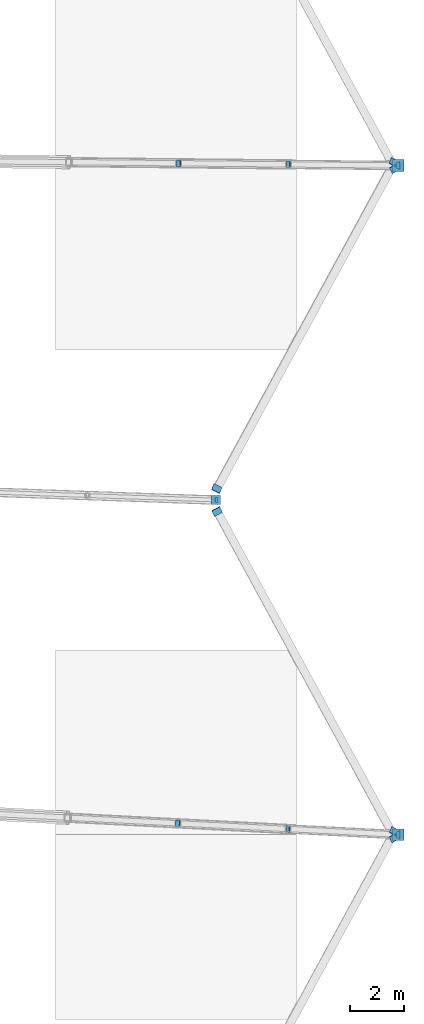
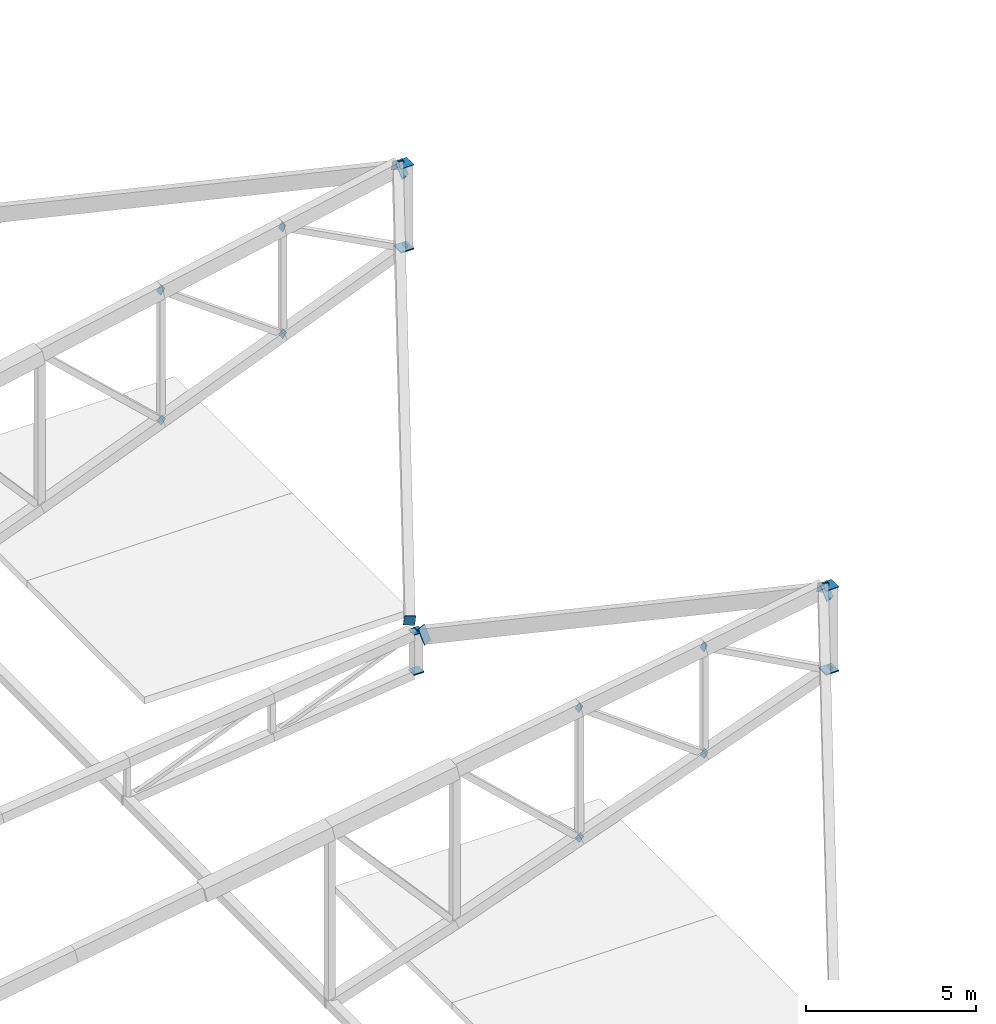
# One storey, part 155 of 188: 26 discrete accessories.
"""IFC4 building model written with IfcOpenShell, lengths in metres."""

import ifcopenshell
import ifcopenshell.guid

model = None  # the IFC model being written
_history = None  # IfcOwnerHistory: only IFC2X3 demands one
_inside = {}  # id of a spatial element -> (the spatial element, [elements in it])
_under = {}  # id of a project, library or spatial element -> (it, [spatial elements below it])
_declared = {}  # id of a project -> (the project, [libraries it declares])
_typed = {}  # id of a type object -> (the type object, [elements of that type])
_made_of = {}  # id of a material, layer set ... -> (it, [elements and type objects made of it])


def new_model(schema):
    """Start an empty IFC model of exactly this schema.

    Asked for "IFC4X3", IfcOpenShell would pick the latest addendum, in which some entities
    have other attributes; the version numbers below select the first issue.
    IFC2X3 requires an IfcOwnerHistory on every rooted entity: one is made here for all.
    """
    global model, _history
    if schema == "IFC4X3":
        model = ifcopenshell.file(schema_version=(4, 3, 0, 0))
    else:
        model = ifcopenshell.file(schema=schema)
    _inside.clear()
    _under.clear()
    _declared.clear()
    _typed.clear()
    _made_of.clear()
    _history = None
    if model.schema == "IFC2X3":
        org = make("IfcOrganization", Name="unknown")
        user = make(
            "IfcPersonAndOrganization",
            ThePerson=make("IfcPerson", FamilyName="unknown"),
            TheOrganization=org,
        )
        app = make(
            "IfcApplication",
            ApplicationDeveloper=org,
            Version="unknown",
            ApplicationFullName="unknown",
            ApplicationIdentifier="unknown",
        )
        _history = make(
            "IfcOwnerHistory",
            OwningUser=user,
            OwningApplication=app,
            ChangeAction="ADDED",
            CreationDate=0,
        )
    return model


def make(cls, **values):
    """One entity of the class cls with the attributes given. An attribute that is None is left unset."""
    return model.create_entity(
        cls, **{name: value for name, value in values.items() if value is not None}
    )


def rooted(cls, **values):
    """An entity with a GlobalId (a new one), such as an element, a storey or a relation."""
    return make(cls, GlobalId=ifcopenshell.guid.new(), OwnerHistory=_history, **values)


def si_unit(unit_type, name, prefix=None):
    """IfcSIUnit, for example si_unit("LENGTHUNIT", "METRE", prefix="MILLI")."""
    return make("IfcSIUnit", UnitType=unit_type, Prefix=prefix, Name=name)


def assignment(units):
    """IfcUnitAssignment: the units of a project."""
    return None if units is None else make("IfcUnitAssignment", Units=units)


def point(xyz):
    """IfcCartesianPoint."""
    return None if xyz is None else make("IfcCartesianPoint", Coordinates=xyz)


def direction(xyz):
    """IfcDirection."""
    return None if xyz is None else make("IfcDirection", DirectionRatios=xyz)


def frame(location, z_axis=None, x_axis=None):
    """IfcAxis2Placement3D, a coordinate frame: its origin and axes. An axis left out is left unset."""
    return make(
        "IfcAxis2Placement3D",
        Location=point(location),
        Axis=direction(z_axis),
        RefDirection=direction(x_axis),
    )


def frame_2d(location, x_axis=None):
    """IfcAxis2Placement2D, a coordinate frame in the plane: its origin and x axis."""
    return make(
        "IfcAxis2Placement2D", Location=point(location), RefDirection=direction(x_axis)
    )


def origin():
    """The frame at (0, 0, 0) with its axes left unset."""
    return frame((0.0, 0.0, 0.0))


def origin_2d():
    """The frame at (0, 0) in the plane with its x axis left unset."""
    return frame_2d((0.0, 0.0))


def place(relative_to, where):
    """IfcLocalPlacement: puts the frame where relative to a parent placement (None: the world)."""
    return make(
        "IfcLocalPlacement", PlacementRelTo=relative_to, RelativePlacement=where
    )


def context(
    kind, dimensions, precision=None, world=None, true_north=None, identifier=None
):
    """IfcGeometricRepresentationContext, for example the 3D "Model" context."""
    return make(
        "IfcGeometricRepresentationContext",
        ContextIdentifier=identifier,
        ContextType=kind,
        CoordinateSpaceDimension=dimensions,
        Precision=precision,
        WorldCoordinateSystem=world,
        TrueNorth=true_north,
    )


def subcontext(parent, identifier, kind, view, scale=None):
    """IfcGeometricRepresentationSubContext, for example "Body" below "Model"."""
    return make(
        "IfcGeometricRepresentationSubContext",
        ContextIdentifier=identifier,
        ContextType=kind,
        ParentContext=parent,
        TargetScale=scale,
        TargetView=view,
    )


def project(units=None, contexts=None):
    """IfcProject with its units and contexts."""
    return rooted(
        "IfcProject",
        Name="project",
        RepresentationContexts=contexts,
        UnitsInContext=assignment(units),
    )


def spatial(cls, under=None, at=None, **own):
    """A site, building, storey or space (cls), placed at a placement, below another one or the project."""
    s = rooted(cls, ObjectPlacement=at, **own)
    if under is not None:
        _under.setdefault(under.id(), (under, []))[1].append(s)
    return s


def profile(cls, at=None, kind="AREA", **sizes):
    """A parametric profile (cls). Its sizes go by their IFC names, for example OverallWidth=200.0."""
    return make(cls, ProfileType=kind, Position=at, **sizes)


def rectangle(**sizes):
    """IfcRectangleProfileDef."""
    return profile("IfcRectangleProfileDef", **sizes)


def extrude(swept, where, along, depth):
    """IfcExtrudedAreaSolid: the profile swept, set in the frame where, extruded along a direction by depth."""
    return make(
        "IfcExtrudedAreaSolid",
        SweptArea=swept,
        Position=where,
        ExtrudedDirection=direction(along),
        Depth=depth,
    )


def shape(context_of_items, identifier, shape_type, items):
    """IfcShapeRepresentation: the items that make up one representation, for example the "Body"."""
    return make(
        "IfcShapeRepresentation",
        ContextOfItems=context_of_items,
        RepresentationIdentifier=identifier,
        RepresentationType=shape_type,
        Items=items,
    )


def material(Name=None, Category=None):
    """IfcMaterial."""
    return make("IfcMaterial", Name=Name, Category=Category)


def material_profile(
    of_material, cross_section, Name=None, Category=None, Priority=None
):
    """IfcMaterialProfile: a cross section and its material."""
    return make(
        "IfcMaterialProfile",
        Name=Name,
        Material=of_material,
        Profile=cross_section,
        Priority=Priority,
        Category=Category,
    )


def profile_set(profiles, Name=None, composite=None):
    """IfcMaterialProfileSet."""
    return make(
        "IfcMaterialProfileSet",
        Name=Name,
        MaterialProfiles=profiles,
        CompositeProfile=composite,
    )


def made_of(thing, what):
    """Note that an element or type object is made of a material, layer set ...; save() writes the relation."""
    if what is not None:
        _made_of.setdefault(what.id(), (what, []))[1].append(thing)
    return thing


def type_object(cls, material=None, **own):
    """A type object (cls), such as IfcWallType, which elements share."""
    return made_of(rooted(cls, **own), material)


def element(
    cls,
    number,
    at=None,
    inside=None,
    cuts=None,
    type_object=None,
    material=None,
    context=None,
    identifier="Body",
    shape_type=None,
    held_by="IfcProductDefinitionShape",
    body=None,
    shapes=None,
    **own,
):
    """One element of the class cls, such as IfcWall. Its Tag is "e" and its number.

    at: its placement. inside: the storey or other place that contains it. cuts: it is an
    opening in that element (IfcRelVoidsElement). A single representation is given by context,
    identifier, shape_type and body (its items); several are given by shapes. held_by: the class
    of the entity that holds the representations. save() writes the other relations.
    """
    e = rooted(cls, Tag="e%d" % number, ObjectPlacement=at, **own)
    if body is not None:
        shapes = [shape(context, identifier, shape_type, body)]
    if shapes is not None:
        e.Representation = make(held_by, Representations=shapes)
    if inside is not None:
        _inside.setdefault(inside.id(), (inside, []))[1].append(e)
    if cuts is not None:
        rooted(
            "IfcRelVoidsElement", RelatingBuildingElement=cuts, RelatedOpeningElement=e
        )
    if type_object is not None:
        _typed.setdefault(type_object.id(), (type_object, []))[1].append(e)
    return made_of(e, material)


def aggregate(whole, parts):
    """IfcRelAggregates: a whole, such as a stair, and the parts it consists of."""
    return rooted("IfcRelAggregates", RelatingObject=whole, RelatedObjects=parts)


def save(model, path):
    """Write the relations noted so far, then the file.

    IfcRelAggregates (storeys below a building ...), IfcRelContainedInSpatialStructure (elements
    in a storey), IfcRelDefinesByType, IfcRelAssociatesMaterial and IfcRelDeclares: one each for
    every whole, place, type object, material and project.
    """
    for whole, parts in _under.values():
        aggregate(whole, parts)
    for where, things in _inside.values():
        rooted(
            "IfcRelContainedInSpatialStructure",
            RelatedElements=things,
            RelatingStructure=where,
        )
    for kind, things in _typed.values():
        rooted("IfcRelDefinesByType", RelatedObjects=things, RelatingType=kind)
    for what, things in _made_of.values():
        rooted("IfcRelAssociatesMaterial", RelatedObjects=things, RelatingMaterial=what)
    for by, libraries in _declared.values():
        rooted("IfcRelDeclares", RelatingContext=by, RelatedDefinitions=libraries)
    model.write(path)


model = new_model("IFC4")

# Units and contexts
model_context = context("Model", 3, precision=1e-05, world=origin(), true_north=direction((0.0, 1.0)))
body_context = subcontext(model_context, "Body", "Model", "MODEL_VIEW")
ifc_project = project(units=[si_unit("LENGTHUNIT", "METRE"), si_unit("AREAUNIT", "SQUARE_METRE"), si_unit("VOLUMEUNIT", "CUBIC_METRE"), si_unit("PLANEANGLEUNIT", "RADIAN"), si_unit("MASSUNIT", "GRAM", prefix="KILO")], contexts=[model_context])

# Site, building, storey
site_placement = place(None, origin())
site = spatial("IfcSite", under=ifc_project, at=site_placement, CompositionType="ELEMENT")
building_placement = place(site_placement, origin())
building = spatial("IfcBuilding", under=site, at=building_placement, Name="Meseta Stadium", CompositionType="ELEMENT")
storey_placement = place(building_placement, frame((0.0, 0.0, 30.0)))
storey = spatial("IfcBuildingStorey", under=building, at=storey_placement, Name="ROOF", CompositionType="ELEMENT", Elevation=30.0)

# Discrete accessories
ifc_material_1 = material(Name="Steel S355", Category="steel")
ifc_material_profile_1 = material_profile(ifc_material_1, rectangle(XDim=0.179931640625, YDim=0.179931640625, at=origin_2d()), Name="PL 180x180")
ifc_profile_set_1 = profile_set([ifc_material_profile_1], Name="Steel S355")
discrete_accessory_type_1 = type_object("IfcDiscreteAccessoryType", Name="End plate 180x180x20", PredefinedType="ANCHORPLATE", material=ifc_profile_set_1)
discrete_accessory_1_placement = place(storey_placement, frame((94.60009765625, -18.75, 3.67236328125), z_axis=(0.90806090779, -0.036813280046, 0.41721717385), x_axis=(0.040507266643, 0.999179243854, 0.0)))
element("IfcDiscreteAccessory", 1, at=discrete_accessory_1_placement, inside=storey, type_object=discrete_accessory_type_1, Name="End plate of ROOF TRUSS RT-03 diagonal", PredefinedType="ANCHORPLATE", context=body_context, shape_type="SweptSolid", body=[
    extrude(rectangle(XDim=0.179931640625, YDim=0.179931640625, at=origin_2d()), origin(), (0.0, 0.0, 1.0), 0.019775390625),
])
ifc_material_2 = material(Name="Steel S355", Category="steel")
ifc_material_profile_2 = material_profile(ifc_material_2, rectangle(XDim=0.239990234375, YDim=0.239990234375, at=origin_2d()), Name="PL 240x240")
ifc_profile_set_2 = profile_set([ifc_material_profile_2], Name="Steel S355")
discrete_accessory_type_2 = type_object("IfcDiscreteAccessoryType", Name="End plate 240x240x20", PredefinedType="ANCHORPLATE", material=ifc_profile_set_2)
discrete_accessory_2_placement = place(storey_placement, frame((93.17041015625, -30.826904296875, 4.0849609375), z_axis=(0.736265600911, -0.049084373394, -0.674910134169), x_axis=(0.066519010524, 0.997785157857, 0.0)))
element("IfcDiscreteAccessory", 2, at=discrete_accessory_2_placement, inside=storey, type_object=discrete_accessory_type_2, Name="End plate of ROOF TRUSS RT-02 diagonal", PredefinedType="ANCHORPLATE", context=body_context, shape_type="SweptSolid", body=[
    extrude(rectangle(XDim=0.239990234375, YDim=0.239990234375, at=origin_2d()), origin(), (0.0, 0.0, 1.0), 0.019775390625),
])
for number, where, z_axis, x_axis, name in (
    (3, (93.154052734375, -30.826171875, 8.763427734375), (0.81237488576, -0.036374994885, -0.581999918156), (0.044731300944, 0.998999054412, 0.0), "End plate of ROOF TRUSS RT-02 diagonal"),
    (4, (97.28515625, -31.03857421875, 5.79296875), (0.81237488576, -0.036374994885, -0.581999918156), (0.044731300944, 0.998999054412, 0.0), "End plate of ROOF TRUSS RT-02 diagonal"),
    (5, (97.267333984375, -31.03759765625, 9.635498046875), (0.885971916349, -0.048546406375, -0.461190860565), (0.054712446702, 0.998502152314, 0.0), "End plate of ROOF TRUSS RT-02 diagonal"),
    (6, (101.39990234375, -31.25, 7.5009765625), (0.885971916349, -0.048546406375, -0.461190860565), (0.054712446702, 0.998502152314, 0.0), "End plate of ROOF TRUSS RT-02 diagonal"),
):
    element("IfcDiscreteAccessory", number, at=place(storey_placement, frame(where, z_axis=z_axis, x_axis=x_axis)), inside=storey, type_object=discrete_accessory_type_2, Name=name, PredefinedType="ANCHORPLATE", context=body_context, shape_type="SweptSolid", body=[
        extrude(rectangle(XDim=0.239990234375, YDim=0.239990234375, at=origin_2d()), origin(), (0.0, 0.0, 1.0), 0.02001953125),
    ])
discrete_accessory_3_placement = place(storey_placement, frame((93.19873046875, -6.165771484375, 4.1162109375), z_axis=(0.737154140201, 0.0, -0.675724628517), x_axis=(0.0, 1.0, 0.0)))
element("IfcDiscreteAccessory", 7, at=discrete_accessory_3_placement, inside=storey, type_object=discrete_accessory_type_2, Name="End plate of ROOF TRUSS RT-04 diagonal", PredefinedType="ANCHORPLATE", context=body_context, shape_type="SweptSolid", body=[
    extrude(rectangle(XDim=0.239990234375, YDim=0.239990234375, at=origin_2d()), origin(), (0.0, 0.0, 1.0), 0.019775390625),
])
discrete_accessory_4_placement = place(storey_placement, frame((93.1826171875, -6.16552734375, 8.794677734375), z_axis=(0.808675375217, -0.0122526572, -0.588127545613), x_axis=(0.015149776296, 0.999885235554, 0.0)))
element("IfcDiscreteAccessory", 8, at=discrete_accessory_4_placement, inside=storey, type_object=discrete_accessory_type_2, Name="End plate of ROOF TRUSS RT-04 diagonal", PredefinedType="ANCHORPLATE", context=body_context, shape_type="SweptSolid", body=[
    extrude(rectangle(XDim=0.239990234375, YDim=0.239990234375, at=origin_2d()), origin(), (0.0, 0.0, 1.0), 0.02001953125),
])
discrete_accessory_5_placement = place(storey_placement, frame((97.29931640625, -6.207763671875, 5.808837890625), z_axis=(0.807111764669, -0.012046444249, -0.590275768191), x_axis=(0.014923710973, 0.999888635224, 0.0)))
element("IfcDiscreteAccessory", 9, at=discrete_accessory_5_placement, inside=storey, type_object=discrete_accessory_type_2, Name="End plate of ROOF TRUSS RT-04 diagonal", PredefinedType="ANCHORPLATE", context=body_context, shape_type="SweptSolid", body=[
    extrude(rectangle(XDim=0.239990234375, YDim=0.239990234375, at=origin_2d()), origin(), (0.0, 0.0, 1.0), 0.020263671875),
])
discrete_accessory_6_placement = place(storey_placement, frame((97.28173828125, -6.207763671875, 9.6513671875), z_axis=(0.884384752847, 0.0, -0.466758619558), x_axis=(0.0, 1.0, 0.0)))
element("IfcDiscreteAccessory", 10, at=discrete_accessory_6_placement, inside=storey, type_object=discrete_accessory_type_2, Name="End plate of ROOF TRUSS RT-04 diagonal", PredefinedType="ANCHORPLATE", context=body_context, shape_type="SweptSolid", body=[
    extrude(rectangle(XDim=0.239990234375, YDim=0.239990234375, at=origin_2d()), origin(), (0.0, 0.0, 1.0), 0.019775390625),
])
discrete_accessory_7_placement = place(storey_placement, frame((101.39990234375, -6.25, 7.501220703125), z_axis=(0.886952299427, -0.012150031499, -0.461701196962), x_axis=(0.013697345027, 0.999906186969, 0.0)))
element("IfcDiscreteAccessory", 11, at=discrete_accessory_7_placement, inside=storey, type_object=discrete_accessory_type_2, Name="End plate of ROOF TRUSS RT-04 diagonal", PredefinedType="ANCHORPLATE", context=body_context, shape_type="SweptSolid", body=[
    extrude(rectangle(XDim=0.239990234375, YDim=0.239990234375, at=origin_2d()), origin(), (0.0, 0.0, 1.0), 0.02001953125),
])
ifc_material_3 = material(Name="Steel S355", Category="steel")
ifc_material_profile_3 = material_profile(ifc_material_3, rectangle(XDim=0.340087890625, YDim=0.340087890625, at=origin_2d()), Name="PL 340x340")
ifc_profile_set_3 = profile_set([ifc_material_profile_3], Name="Steel S355")
discrete_accessory_type_3 = type_object("IfcDiscreteAccessoryType", Name="End plate 340x340x20", PredefinedType="ANCHORPLATE", material=ifc_profile_set_3)
for number, where, z_axis, x_axis, name in (
    (12, (94.60009765625, -18.75, 2.224365234375), (0.0, 0.0, 1.0), (1.0, 0.0, 0.0), "End plate of ROOF TRUSS RT-03 post"),
    (13, (94.60009765625, -18.75, 3.67236328125), (0.0, 0.0, 1.0), (1.0, 0.0, 0.0), "End plate of ROOF TRUSS RT-03 post"),
    (14, (94.60009765625, -18.75, 2.244384765625), (0.0, 0.0, 1.0), (1.0, 0.0, 0.0), "End plate of ROOF RIM POST RT-03"),
):
    element("IfcDiscreteAccessory", number, at=place(storey_placement, frame(where, z_axis=z_axis, x_axis=x_axis)), inside=storey, type_object=discrete_accessory_type_3, Name=name, PredefinedType="ANCHORPLATE", context=body_context, shape_type="SweptSolid", body=[
        extrude(rectangle(XDim=0.340087890625, YDim=0.340087890625, at=origin_2d()), origin(), (0.0, 0.0, 1.0), 0.02001953125),
    ])
ifc_material_4 = material(Name="Steel S355", Category="steel")
ifc_material_profile_4 = material_profile(ifc_material_4, rectangle(XDim=0.340087890625, YDim=0.5400390625, at=origin_2d()), Name="PL 340x540")
ifc_profile_set_4 = profile_set([ifc_material_profile_4], Name="Steel S355")
discrete_accessory_type_4 = type_object("IfcDiscreteAccessoryType", Name="End plate 340x540x20", PredefinedType="ANCHORPLATE", material=ifc_profile_set_4)
for number, where, z_axis, x_axis, name in (
    (15, (101.260498046875, -31.143798828125, 10.410888671875), (0.438307934267, 0.79138932576, 0.426132713871), (-0.882780171077, 0.468208305008, 0.038472752379), "End plate of RIM RING BEAM 02"),
    (16, (101.270751953125, -31.37158203125, 10.4189453125), (-0.428393042953, 0.795587079771, -0.428393042953), (-0.88780144757, -0.458842666618, 0.035665066707), "End plate of RIM RING BEAM 03"),
    (17, (94.638916015625, -19.1806640625, 3.787109375), (-0.428393042953, 0.795587079771, -0.428393042953), (-0.88780144757, -0.458842666618, 0.035665066707), "End plate of RIM RING BEAM 03"),
    (18, (94.61767578125, -18.33056640625, 3.782470703125), (0.438307934267, 0.79138932576, 0.426132713871), (-0.886194485294, 0.459694395969, 0.057796163789), "End plate of RIM RING BEAM 04"),
    (19, (101.24951171875, -6.1396484375, 10.414306640625), (0.438307934267, 0.79138932576, 0.426132713871), (-0.886194485294, 0.459694395969, 0.057796163789), "End plate of RIM RING BEAM 04"),
    (20, (101.27880859375, -6.368408203125, 10.41650390625), (-0.438307934267, 0.79138932576, -0.426132713871), (-0.879481721909, -0.475439993841, 0.021649782544), "End plate of RIM RING BEAM 05"),
):
    element("IfcDiscreteAccessory", number, at=place(storey_placement, frame(where, z_axis=z_axis, x_axis=x_axis)), inside=storey, type_object=discrete_accessory_type_4, Name=name, PredefinedType="ANCHORPLATE", context=body_context, shape_type="SweptSolid", body=[
        extrude(rectangle(XDim=0.340087890625, YDim=0.5400390625, at=origin_2d()), origin(), (0.0, 0.0, 1.0), 0.02001953125),
    ])
ifc_material_5 = material(Name="Steel S355", Category="steel")
ifc_material_profile_5 = material_profile(ifc_material_5, rectangle(XDim=0.43994140625, YDim=0.43994140625, at=origin_2d()), Name="PL 440x440")
ifc_profile_set_5 = profile_set([ifc_material_profile_5], Name="Steel S355")
discrete_accessory_type_5 = type_object("IfcDiscreteAccessoryType", Name="End plate 440x440x20", PredefinedType="ANCHORPLATE", material=ifc_profile_set_5)
discrete_accessory_8_placement = place(storey_placement, frame((101.39990234375, -31.25, 7.48095703125), z_axis=(0.0, 0.0, 1.0), x_axis=(1.0, 0.0, 0.0)))
element("IfcDiscreteAccessory", 21, at=discrete_accessory_8_placement, inside=storey, type_object=discrete_accessory_type_5, Name="End plate of ROOF TRUSS RT-02 post", PredefinedType="ANCHORPLATE", context=body_context, shape_type="SweptSolid", body=[
    extrude(rectangle(XDim=0.43994140625, YDim=0.43994140625, at=origin_2d()), origin(), (0.0, 0.0, 1.0), 0.02001953125),
])
discrete_accessory_9_placement = place(storey_placement, frame((101.39990234375, -31.25, 10.5009765625), z_axis=(0.0, 0.0, 1.0), x_axis=(1.0, 0.0, 0.0)))
element("IfcDiscreteAccessory", 22, at=discrete_accessory_9_placement, inside=storey, type_object=discrete_accessory_type_5, Name="End plate of ROOF TRUSS RT-02 post", PredefinedType="ANCHORPLATE", context=body_context, shape_type="SweptSolid", body=[
    extrude(rectangle(XDim=0.43994140625, YDim=0.43994140625, at=origin_2d()), origin(), (0.0, 0.0, 1.0), 0.019775390625),
])
discrete_accessory_10_placement = place(storey_placement, frame((101.39990234375, -6.25, 7.481201171875), z_axis=(0.0, 0.0, 1.0), x_axis=(1.0, 0.0, 0.0)))
element("IfcDiscreteAccessory", 23, at=discrete_accessory_10_placement, inside=storey, type_object=discrete_accessory_type_5, Name="End plate of ROOF TRUSS RT-04 post", PredefinedType="ANCHORPLATE", context=body_context, shape_type="SweptSolid", body=[
    extrude(rectangle(XDim=0.43994140625, YDim=0.43994140625, at=origin_2d()), origin(), (0.0, 0.0, 1.0), 0.02001953125),
])
for number, where, z_axis, x_axis, name in (
    (24, (101.39990234375, -6.25, 10.501220703125), (0.0, 0.0, 1.0), (1.0, 0.0, 0.0), "End plate of ROOF TRUSS RT-04 post"),
    (25, (101.39990234375, -31.25, 7.5009765625), (0.0, 0.0, 1.0), (1.0, 0.0, 0.0), "End plate of ROOF RIM POST RT-02"),
    (26, (101.39990234375, -6.25, 7.501220703125), (0.0, 0.0, 1.0), (1.0, 0.0, 0.0), "End plate of ROOF RIM POST RT-04"),
):
    element("IfcDiscreteAccessory", number, at=place(storey_placement, frame(where, z_axis=z_axis, x_axis=x_axis)), inside=storey, type_object=discrete_accessory_type_5, Name=name, PredefinedType="ANCHORPLATE", context=body_context, shape_type="SweptSolid", body=[
        extrude(rectangle(XDim=0.43994140625, YDim=0.43994140625, at=origin_2d()), origin(), (0.0, 0.0, 1.0), 0.019775390625),
    ])

save(model, "model.ifc")
